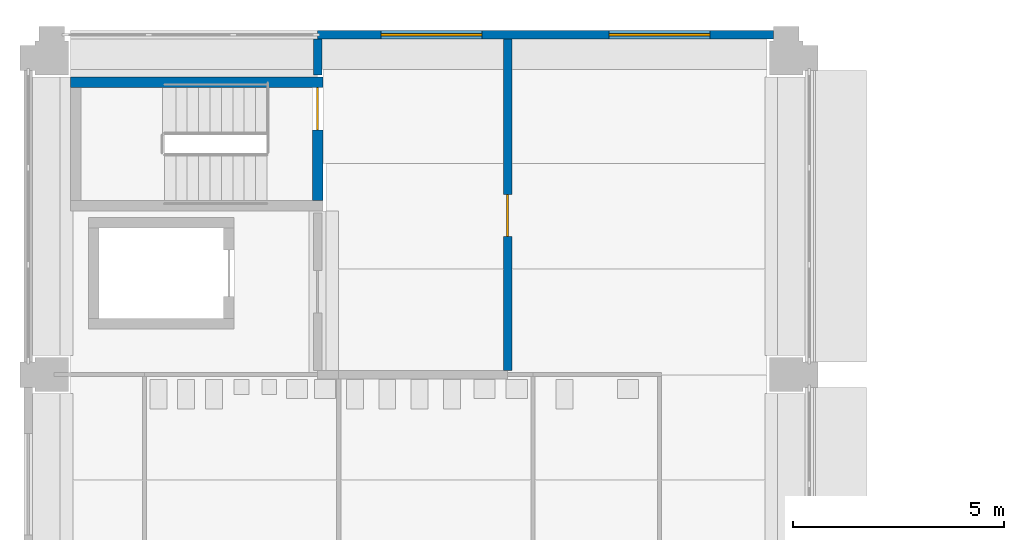
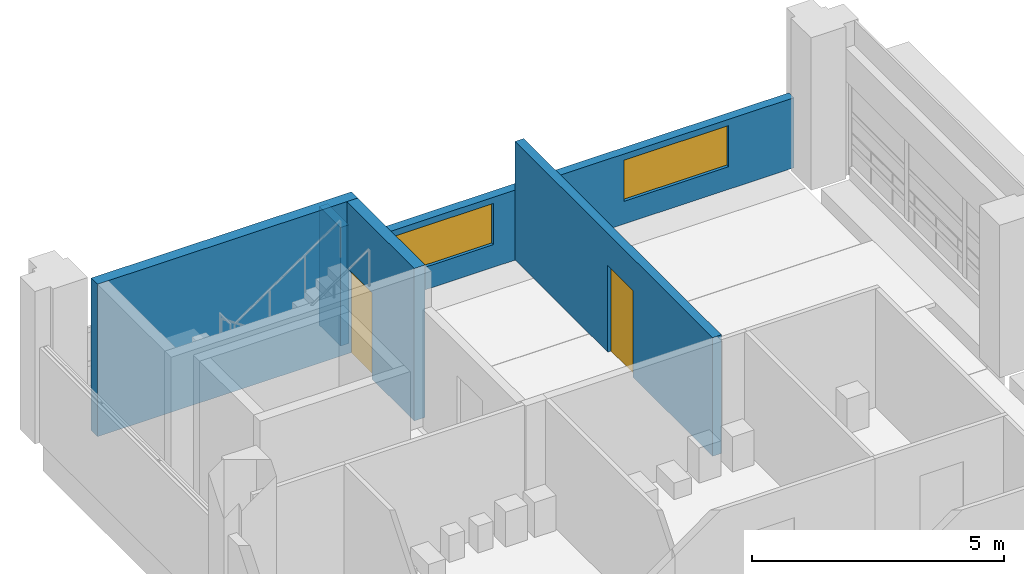
# One storey, part 36 of 61: 5 walls, 2 doors, 2 windows, 4 openings.
"""IFC4 building model written with IfcOpenShell, lengths in metres."""

from ifc_helpers import new_model, si_unit, direction, frame, frame_2d, origin, place, context, subcontext, project, spatial, rectangle, extrude, material, layer, layer_set, type_object, element, fill, save


model = new_model("IFC4")

# Units and contexts
model_context = context("Model", 3, precision=1e-05, world=origin(), true_north=direction((0.0, 1.0)))
body_context = subcontext(model_context, "Body", "Model", "MODEL_VIEW")
ifc_project = project(units=[si_unit("LENGTHUNIT", "METRE"), si_unit("AREAUNIT", "SQUARE_METRE"), si_unit("VOLUMEUNIT", "CUBIC_METRE"), si_unit("PLANEANGLEUNIT", "RADIAN"), si_unit("MASSUNIT", "GRAM", prefix="KILO")], contexts=[model_context])

# Site, building, storey
site_placement = place(None, origin())
site = spatial("IfcSite", under=ifc_project, at=site_placement, CompositionType="ELEMENT")
building_placement = place(site_placement, origin())
building = spatial("IfcBuilding", under=site, at=building_placement, Name="Cour d'Honneur Mobility Palace", CompositionType="ELEMENT")
storey_placement = place(building_placement, frame((0.0, 0.0, 11.89990234375)))
storey = spatial("IfcBuildingStorey", under=building, at=storey_placement, Name="L03", CompositionType="ELEMENT", Elevation=11.89990234375)

# Wall, opening, door
ifc_material_1 = material(Name="Gypsum plasterboard")
ifc_layer_1 = layer(ifc_material_1, 0.199951171875)
ifc_layer_set_1 = layer_set([ifc_layer_1], Name="Gypsum plasterboard")
wall_type_1 = type_object("IfcWallType", Name="Partition 200 rated EI 120", PredefinedType="PARTITIONING", material=ifc_layer_set_1)
wall_1_placement = place(storey_placement, frame((10.800048828125, 107.5, 0.0), z_axis=(0.0, 0.0, 1.0), x_axis=(0.0, 1.0, 0.0)))
wall_1 = element("IfcWall", 1, at=wall_1_placement, inside=storey, type_object=wall_type_1, Name="Partition 073", PredefinedType="PARTITIONING", context=body_context, shape_type="SweptSolid", body=[
    extrude(rectangle(XDim=7.85009765625, YDim=0.199951171875, at=frame_2d((3.925048828125, 0.0))), origin(), (0.0, 0.0, 1.0), 2.880126953125),
])
opening_1_placement = place(wall_1_placement, frame((3.169921875, 0.0, 0.0)))
opening_1 = element("IfcOpeningElement", 2, at=opening_1_placement, cuts=wall_1, Name="Opening D0302", PredefinedType="OPENING", context=body_context, shape_type="SweptSolid", body=[
    extrude(rectangle(XDim=1.0, YDim=2.10009765625, at=frame_2d((0.5, 1.050048828125))), frame((0.0, 0.10986328125, 0.0), z_axis=(0.0, -1.0, 0.0), x_axis=(1.0, 0.0, 0.0)), (0.0, 0.0, 1.0), 0.219970703125),
])
ifc_material_2 = material(Name="Galvanised steel", Category="steel")
door_type_1 = type_object("IfcDoorType", Name="Fire door FD120 1000 x 2100", OperationType="SINGLE_SWING_LEFT", PredefinedType="DOOR", material=ifc_material_2)
door_1_placement = place(opening_1_placement, origin())
door_1 = element("IfcDoor", 3, at=door_1_placement, inside=storey, type_object=door_type_1, Name="Door Lift Lobby NW", OperationType="SINGLE_SWING_LEFT", OverallHeight=2.10009765625, OverallWidth=1.0, PredefinedType="DOOR", context=body_context, shape_type="SweptSolid", body=[
    extrude(rectangle(XDim=1.0, YDim=2.10009765625, at=frame_2d((0.5, 1.050048828125))), frame((0.0, 0.02490234375, 0.0), z_axis=(0.0, -1.0, 0.0), x_axis=(1.0, 0.0, 0.0)), (0.0, 0.0, 1.0), 0.050048828125),
])
fill(opening_1, door_1)

# Wall
wall_2_placement = place(storey_placement, frame((6.300048828125, 115.35009765625, 0.0), z_axis=(0.0, 0.0, 1.0), x_axis=(0.0, -1.0, 0.0)))
element("IfcWall", 4, at=wall_2_placement, inside=storey, type_object=wall_type_1, Name="Partition 089", PredefinedType="PARTITIONING", context=body_context, shape_type="SweptSolid", body=[
    extrude(rectangle(XDim=0.85009765625, YDim=0.199951171875, at=frame_2d((0.425048828125, 0.0))), origin(), (0.0, 0.0, 1.0), 2.880126953125),
])

# Wall, openings, windows
ifc_material_3 = material(Name="Concrete C40", Category="concrete")
ifc_layer_2 = layer(ifc_material_3, 0.199951171875)
ifc_layer_set_2 = layer_set([ifc_layer_2], Name="Concrete C40")
wall_type_2 = type_object("IfcWallType", Name="Spandrel panel", PredefinedType="SOLIDWALL", material=ifc_layer_set_2)
wall_3_placement = place(storey_placement, frame((17.10009765625, 115.449951171875, 0.0), z_axis=(0.0, 0.0, 1.0), x_axis=(-1.0, 0.0, 0.0)))
wall_3 = element("IfcWall", 5, at=wall_3_placement, inside=storey, type_object=wall_type_2, Name="Spandrel panel SW-17", PredefinedType="SOLIDWALL", context=body_context, shape_type="SweptSolid", body=[
    extrude(rectangle(XDim=10.800048828125, YDim=0.199951171875, at=frame_2d((5.39990234375, 0.0))), origin(), (0.0, 0.0, 1.0), 1.7001953125),
])
opening_2_placement = place(wall_3_placement, frame((1.5, 0.0, 0.550048828125)))
opening_2 = element("IfcOpeningElement", 6, at=opening_2_placement, cuts=wall_3, Name="Opening W2-17", PredefinedType="OPENING", context=body_context, shape_type="SweptSolid", body=[
    extrude(rectangle(XDim=2.39990234375, YDim=1.0, at=frame_2d((1.199951171875, 0.5))), frame((0.0, 0.10986328125, 0.0), z_axis=(0.0, -1.0, 0.0), x_axis=(1.0, 0.0, 0.0)), (0.0, 0.0, 1.0), 0.219970703125),
])
opening_3_placement = place(wall_3_placement, frame((6.89990234375, 0.0, 0.550048828125)))
opening_3 = element("IfcOpeningElement", 7, at=opening_3_placement, cuts=wall_3, Name="Opening W2-18", PredefinedType="OPENING", context=body_context, shape_type="SweptSolid", body=[
    extrude(rectangle(XDim=2.39990234375, YDim=1.0, at=frame_2d((1.199951171875, 0.5))), frame((0.0, 0.10986328125, 0.0), z_axis=(0.0, -1.0, 0.0), x_axis=(1.0, 0.0, 0.0)), (0.0, 0.0, 1.0), 0.219970703125),
])
ifc_material_4 = material(Name="Aluminium frame and glass", Category="aluminium")
window_type = type_object("IfcWindowType", Name="Gallery window W2", PartitioningType="TRIPLE_PANEL_VERTICAL", PredefinedType="WINDOW", material=ifc_material_4)
window_1_placement = place(opening_2_placement, origin())
window_1 = element("IfcWindow", 8, at=window_1_placement, inside=storey, type_object=window_type, Name="Gallery window W2 W2-17", OverallHeight=1.0, OverallWidth=2.39990234375, PartitioningType="SINGLE_PANEL", PredefinedType="WINDOW", context=body_context, shape_type="SweptSolid", body=[
    extrude(rectangle(XDim=2.39990234375, YDim=1.0, at=frame_2d((1.199951171875, 0.5))), frame((0.0, 0.030029296875, 0.0), z_axis=(0.0, -1.0, 0.0), x_axis=(1.0, 0.0, 0.0)), (0.0, 0.0, 1.0), 0.06005859375),
])
fill(opening_2, window_1)
window_2_placement = place(opening_3_placement, origin())
window_2 = element("IfcWindow", 9, at=window_2_placement, inside=storey, type_object=window_type, Name="Gallery window W2 W2-18", OverallHeight=1.0, OverallWidth=2.39990234375, PartitioningType="SINGLE_PANEL", PredefinedType="WINDOW", context=body_context, shape_type="SweptSolid", body=[
    extrude(rectangle(XDim=2.39990234375, YDim=1.0, at=frame_2d((1.199951171875, 0.5))), frame((0.0, 0.030029296875, 0.0), z_axis=(0.0, -1.0, 0.0), x_axis=(1.0, 0.0, 0.0)), (0.0, 0.0, 1.0), 0.06005859375),
])
fill(opening_3, window_2)

# Wall
ifc_material_5 = material(Name="Concrete C50", Category="concrete")
ifc_layer_3 = layer(ifc_material_5, 0.25)
ifc_layer_set_3 = layer_set([ifc_layer_3], Name="Concrete C50")
wall_type_3 = type_object("IfcWallType", Name="Stair wall 250", PredefinedType="SHEAR", material=ifc_layer_set_3)
wall_4_placement = place(storey_placement, frame((0.449951171875, 114.324951171875, 0.0), z_axis=(0.0, 0.0, 1.0), x_axis=(1.0, 0.0, 0.0)))
element("IfcWall", 10, at=wall_4_placement, inside=storey, type_object=wall_type_3, Name="Stair wall WS-NW4 L03", PredefinedType="SHEAR", context=body_context, shape_type="SweptSolid", body=[
    extrude(rectangle(XDim=5.97509765625, YDim=0.25, at=frame_2d((2.987548828125, 0.0))), origin(), (0.0, 0.0, 1.0), 3.7001953125),
])

# Wall, opening, door
wall_5_placement = place(storey_placement, frame((6.300048828125, 111.52490234375, 0.0), z_axis=(0.0, 0.0, 1.0), x_axis=(0.0, 1.0, 0.0)))
wall_5 = element("IfcWall", 11, at=wall_5_placement, inside=storey, type_object=wall_type_3, Name="Stair wall WS-NW8 L03", PredefinedType="SHEAR", context=body_context, shape_type="SweptSolid", body=[
    extrude(rectangle(XDim=2.675048828125, YDim=0.25, at=frame_2d((1.33740234375, 0.0))), origin(), (0.0, 0.0, 1.0), 3.7001953125),
])
opening_4_placement = place(wall_5_placement, frame((1.675048828125, 0.0, 0.0)))
opening_4 = element("IfcOpeningElement", 12, at=opening_4_placement, cuts=wall_5, Name="Opening S100", PredefinedType="OPENING", context=body_context, shape_type="SweptSolid", body=[
    extrude(rectangle(XDim=1.0, YDim=2.10009765625, at=frame_2d((0.5, 1.050048828125))), frame((0.0, 0.135009765625, 0.0), z_axis=(0.0, -1.0, 0.0), x_axis=(1.0, 0.0, 0.0)), (0.0, 0.0, 1.0), 0.27001953125),
])
ifc_material_6 = material(Name="Galvanised steel", Category="steel")
door_type_2 = type_object("IfcDoorType", Name="Fire door FD120 stair 1000 x 2100", OperationType="SINGLE_SWING_LEFT", PredefinedType="DOOR", material=ifc_material_6)
door_2_placement = place(opening_4_placement, origin())
door_2 = element("IfcDoor", 13, at=door_2_placement, inside=storey, type_object=door_type_2, Name="Stair door ST-NW1 L03", OperationType="SINGLE_SWING_LEFT", OverallHeight=2.10009765625, OverallWidth=1.0, PredefinedType="DOOR", context=body_context, shape_type="SweptSolid", body=[
    extrude(rectangle(XDim=1.0, YDim=2.10009765625, at=frame_2d((0.5, 1.050048828125))), frame((0.0, 0.02490234375, 0.0), z_axis=(0.0, -1.0, 0.0), x_axis=(1.0, 0.0, 0.0)), (0.0, 0.0, 1.0), 0.050048828125),
])
fill(opening_4, door_2)

save(model, "model.ifc")
